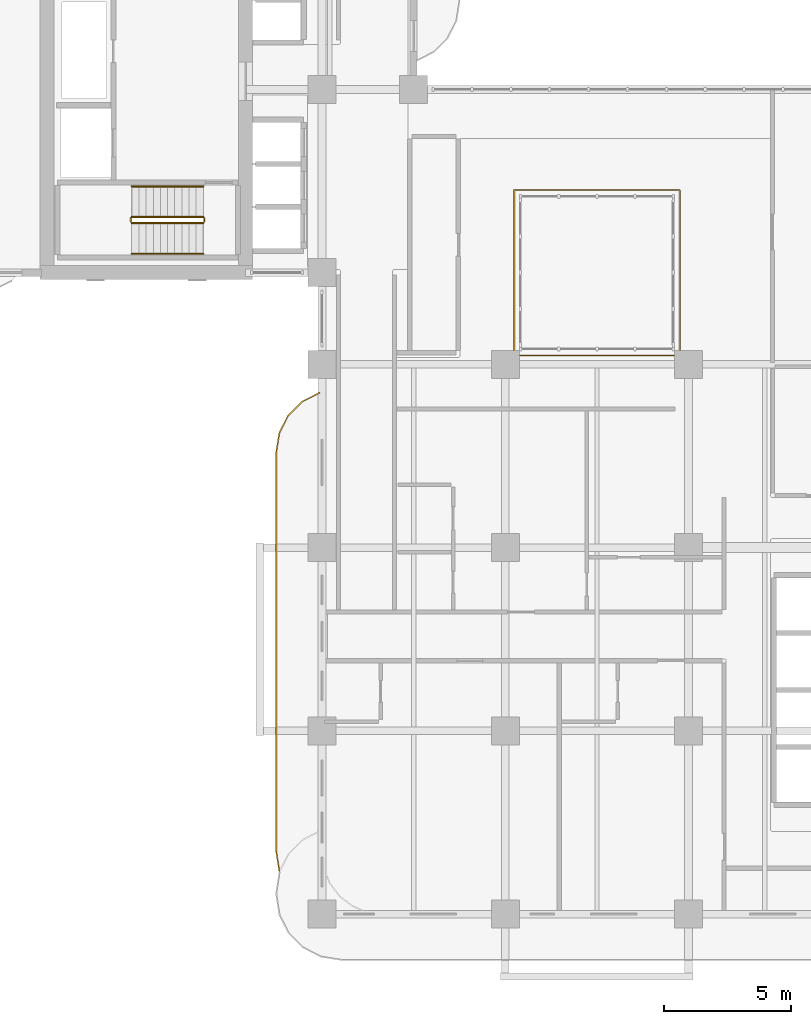
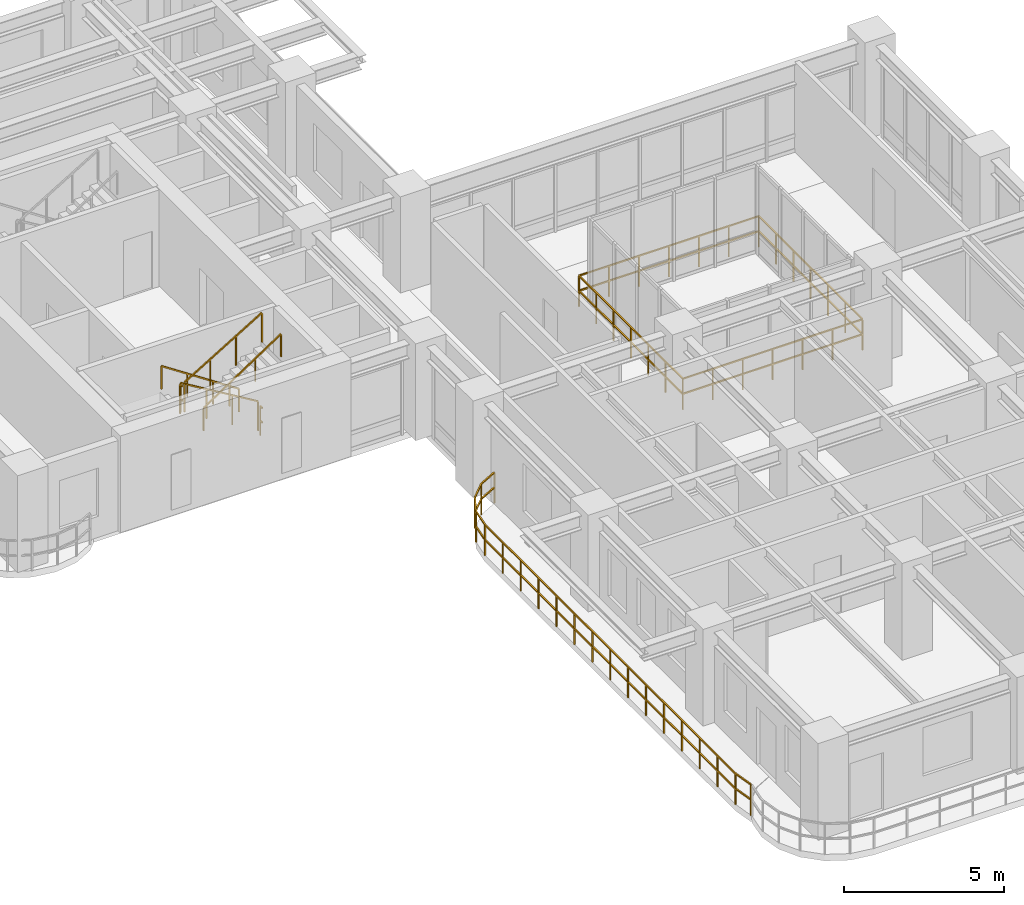
# One storey, part 18 of 22: 8 railings.
"""IFC4 building model written with IfcOpenShell, lengths in metres."""

from ifc_helpers import new_model, si_unit, derived_unit, direction, frame, origin, origin_2d, place, context, subcontext, project, spatial, rectangle, extrude, material, type_object, element, save


model = new_model("IFC4")

# Units and contexts
model_context = context("Model", 3, precision=1e-05, world=origin(), true_north=direction((0.0, 1.0)))
body_context = subcontext(model_context, "Body", "Model", "MODEL_VIEW")
ifc_project = project(units=[si_unit("LENGTHUNIT", "METRE"), si_unit("AREAUNIT", "SQUARE_METRE"), si_unit("VOLUMEUNIT", "CUBIC_METRE"), si_unit("PLANEANGLEUNIT", "RADIAN"), si_unit("MASSUNIT", "GRAM", prefix="KILO"), si_unit("THERMODYNAMICTEMPERATUREUNIT", "KELVIN"), si_unit("POWERUNIT", "WATT"), derived_unit("THERMALTRANSMITTANCEUNIT", [(si_unit("POWERUNIT", "WATT"), 1), (si_unit("AREAUNIT", "SQUARE_METRE"), -1), (si_unit("THERMODYNAMICTEMPERATUREUNIT", "KELVIN"), -1)])], contexts=[model_context])

# Site, building, storey
site_placement = place(None, origin())
site = spatial("IfcSite", under=ifc_project, at=site_placement, CompositionType="ELEMENT")
building_placement = place(site_placement, origin())
building = spatial("IfcBuilding", under=site, at=building_placement, Name="Zahravan Archway Hotel and Residences", CompositionType="ELEMENT")
storey_placement = place(building_placement, frame((0.0, 0.0, 87.89990234375)))
storey = spatial("IfcBuildingStorey", under=building, at=storey_placement, Name="L21", CompositionType="ELEMENT", Elevation=87.89990234375)

# Railings
ifc_material_1 = material(Name="Atrium Laminated Glass Guardrail", Category="glass")
railing_type_1 = type_object("IfcRailingType", Name="RL-ATR-1200", PredefinedType="BALUSTRADE", material=ifc_material_1)
railing_1_placement = place(storey_placement, frame((21.949951171875, 21.949951171875, 0.0)))
element("IfcRailing", 1, at=railing_1_placement, inside=storey, type_object=railing_type_1, Name="L21 Balustrade RL-ATR-L21", PredefinedType="BALUSTRADE", context=body_context, shape_type="SweptSolid", body=[
    extrude(rectangle(XDim=0.048095703125, YDim=0.048095703125, at=origin_2d()), frame((0.0, 0.0, 1.17578125), z_axis=(1.0, 0.0, 0.0), x_axis=(0.0, 1.0, 0.0)), (0.0, 0.0, 1.0), 6.5),
    extrude(rectangle(XDim=0.048095703125, YDim=0.048095703125, at=origin_2d()), frame((0.0, 0.0, 0.60009765625), z_axis=(1.0, 0.0, 0.0), x_axis=(0.0, 1.0, 0.0)), (0.0, 0.0, 1.0), 6.5),
    extrude(rectangle(XDim=0.048095703125, YDim=0.048095703125, at=origin_2d()), frame((6.5, 0.0, 1.17578125), z_axis=(0.0, 1.0, 0.0), x_axis=(-1.0, 0.0, 0.0)), (0.0, 0.0, 1.0), 6.5),
    extrude(rectangle(XDim=0.048095703125, YDim=0.048095703125, at=origin_2d()), frame((6.5, 0.0, 0.60009765625), z_axis=(0.0, 1.0, 0.0), x_axis=(-1.0, 0.0, 0.0)), (0.0, 0.0, 1.0), 6.5),
    extrude(rectangle(XDim=0.048095703125, YDim=0.048095703125, at=origin_2d()), frame((6.5, 6.5, 1.17578125), z_axis=(-1.0, 0.0, 0.0), x_axis=(0.0, -1.0, 0.0)), (0.0, 0.0, 1.0), 6.5),
    extrude(rectangle(XDim=0.048095703125, YDim=0.048095703125, at=origin_2d()), frame((6.5, 6.5, 0.60009765625), z_axis=(-1.0, 0.0, 0.0), x_axis=(0.0, -1.0, 0.0)), (0.0, 0.0, 1.0), 6.5),
    extrude(rectangle(XDim=0.048095703125, YDim=0.048095703125, at=origin_2d()), frame((0.0, 6.5, 1.17578125), z_axis=(0.0, -1.0, 0.0), x_axis=(1.0, 0.0, 0.0)), (0.0, 0.0, 1.0), 6.5),
    extrude(rectangle(XDim=0.048095703125, YDim=0.048095703125, at=origin_2d()), frame((0.0, 6.5, 0.60009765625), z_axis=(0.0, -1.0, 0.0), x_axis=(1.0, 0.0, 0.0)), (0.0, 0.0, 1.0), 6.5),
    extrude(rectangle(XDim=0.0419921875, YDim=0.0419921875, at=origin_2d()), origin(), (0.0, 0.0, 1.0), 1.15185546875),
    extrude(rectangle(XDim=0.0419921875, YDim=0.0419921875, at=origin_2d()), frame((1.083251953125, 0.0, 0.0)), (0.0, 0.0, 1.0), 1.15185546875),
    extrude(rectangle(XDim=0.0419921875, YDim=0.0419921875, at=origin_2d()), frame((2.166748046875, 0.0, 0.0)), (0.0, 0.0, 1.0), 1.15185546875),
    extrude(rectangle(XDim=0.0419921875, YDim=0.0419921875, at=origin_2d()), frame((3.25, 0.0, 0.0)), (0.0, 0.0, 1.0), 1.15185546875),
    extrude(rectangle(XDim=0.0419921875, YDim=0.0419921875, at=origin_2d()), frame((4.333251953125, 0.0, 0.0)), (0.0, 0.0, 1.0), 1.15185546875),
    extrude(rectangle(XDim=0.0419921875, YDim=0.0419921875, at=origin_2d()), frame((5.416748046875, 0.0, 0.0)), (0.0, 0.0, 1.0), 1.15185546875),
    extrude(rectangle(XDim=0.0419921875, YDim=0.0419921875, at=origin_2d()), frame((6.5, 0.0, 0.0)), (0.0, 0.0, 1.0), 1.15185546875),
    extrude(rectangle(XDim=0.0419921875, YDim=0.0419921875, at=origin_2d()), frame((6.5, 1.083251953125, 0.0)), (0.0, 0.0, 1.0), 1.15185546875),
    extrude(rectangle(XDim=0.0419921875, YDim=0.0419921875, at=origin_2d()), frame((6.5, 2.166748046875, 0.0)), (0.0, 0.0, 1.0), 1.15185546875),
    extrude(rectangle(XDim=0.0419921875, YDim=0.0419921875, at=origin_2d()), frame((6.5, 3.25, 0.0)), (0.0, 0.0, 1.0), 1.15185546875),
    extrude(rectangle(XDim=0.0419921875, YDim=0.0419921875, at=origin_2d()), frame((6.5, 4.333251953125, 0.0)), (0.0, 0.0, 1.0), 1.15185546875),
    extrude(rectangle(XDim=0.0419921875, YDim=0.0419921875, at=origin_2d()), frame((6.5, 5.416748046875, 0.0)), (0.0, 0.0, 1.0), 1.15185546875),
    extrude(rectangle(XDim=0.0419921875, YDim=0.0419921875, at=origin_2d()), frame((6.5, 6.5, 0.0)), (0.0, 0.0, 1.0), 1.15185546875),
    extrude(rectangle(XDim=0.0419921875, YDim=0.0419921875, at=origin_2d()), frame((5.416748046875, 6.5, 0.0)), (0.0, 0.0, 1.0), 1.15185546875),
    extrude(rectangle(XDim=0.0419921875, YDim=0.0419921875, at=origin_2d()), frame((4.333251953125, 6.5, 0.0)), (0.0, 0.0, 1.0), 1.15185546875),
    extrude(rectangle(XDim=0.0419921875, YDim=0.0419921875, at=origin_2d()), frame((3.25, 6.5, 0.0)), (0.0, 0.0, 1.0), 1.15185546875),
    extrude(rectangle(XDim=0.0419921875, YDim=0.0419921875, at=origin_2d()), frame((2.166748046875, 6.5, 0.0)), (0.0, 0.0, 1.0), 1.15185546875),
    extrude(rectangle(XDim=0.0419921875, YDim=0.0419921875, at=origin_2d()), frame((1.083251953125, 6.5, 0.0)), (0.0, 0.0, 1.0), 1.15185546875),
    extrude(rectangle(XDim=0.0419921875, YDim=0.0419921875, at=origin_2d()), frame((0.0, 6.5, 0.0)), (0.0, 0.0, 1.0), 1.15185546875),
    extrude(rectangle(XDim=0.0419921875, YDim=0.0419921875, at=origin_2d()), frame((0.0, 5.416748046875, 0.0)), (0.0, 0.0, 1.0), 1.15185546875),
    extrude(rectangle(XDim=0.0419921875, YDim=0.0419921875, at=origin_2d()), frame((0.0, 4.333251953125, 0.0)), (0.0, 0.0, 1.0), 1.15185546875),
    extrude(rectangle(XDim=0.0419921875, YDim=0.0419921875, at=origin_2d()), frame((0.0, 3.25, 0.0)), (0.0, 0.0, 1.0), 1.15185546875),
    extrude(rectangle(XDim=0.0419921875, YDim=0.0419921875, at=origin_2d()), frame((0.0, 2.166748046875, 0.0)), (0.0, 0.0, 1.0), 1.15185546875),
    extrude(rectangle(XDim=0.0419921875, YDim=0.0419921875, at=origin_2d()), frame((0.0, 1.083251953125, 0.0)), (0.0, 0.0, 1.0), 1.15185546875),
])
ifc_material_2 = material(Name="Bronze & Laminated Glass Balustrade", Category="glass")
railing_type_2 = type_object("IfcRailingType", Name="RL-BAL-1200", PredefinedType="BALUSTRADE", material=ifc_material_2)
railing_2_placement = place(storey_placement, frame((12.719970703125, 1.69287109375, 0.0)))
element("IfcRailing", 2, at=railing_2_placement, inside=storey, type_object=railing_type_2, Name="L21 Balustrade RL-SLB-BAL-L21-WA-1", PredefinedType="BALUSTRADE", context=body_context, shape_type="SweptSolid", body=[
    extrude(rectangle(XDim=0.048095703125, YDim=0.048095703125, at=origin_2d()), frame((0.0, 0.0, 1.17578125), z_axis=(-0.156387811283, 0.987695728695, 0.0), x_axis=(-0.987695728695, -0.156387811283, 0.0)), (0.0, 0.0, 1.0), 0.7666015625),
    extrude(rectangle(XDim=0.048095703125, YDim=0.048095703125, at=origin_2d()), frame((0.0, 0.0, 0.60009765625), z_axis=(-0.156387811283, 0.987695728695, 0.0), x_axis=(-0.987695728695, -0.156387811283, 0.0)), (0.0, 0.0, 1.0), 0.7666015625),
    extrude(rectangle(XDim=0.048095703125, YDim=0.048095703125, at=origin_2d()), frame((-0.119873046875, 0.757080078125, 1.17578125), z_axis=(0.0, 1.0, 0.0), x_axis=(-1.0, 0.0, 0.0)), (0.0, 0.0, 1.0), 15.699951171875),
    extrude(rectangle(XDim=0.048095703125, YDim=0.048095703125, at=origin_2d()), frame((-0.119873046875, 0.757080078125, 0.60009765625), z_axis=(0.0, 1.0, 0.0), x_axis=(-1.0, 0.0, 0.0)), (0.0, 0.0, 1.0), 15.699951171875),
    extrude(rectangle(XDim=0.048095703125, YDim=0.048095703125, at=origin_2d()), frame((-0.119873046875, 16.45703125, 1.17578125), z_axis=(0.156387811283, 0.987695728695, 0.0), x_axis=(-0.987695728695, 0.156387811283, 0.0)), (0.0, 0.0, 1.0), 0.7666015625),
    extrude(rectangle(XDim=0.048095703125, YDim=0.048095703125, at=origin_2d()), frame((-0.119873046875, 16.45703125, 0.60009765625), z_axis=(0.156387811283, 0.987695728695, 0.0), x_axis=(-0.987695728695, 0.156387811283, 0.0)), (0.0, 0.0, 1.0), 0.7666015625),
    extrude(rectangle(XDim=0.048095703125, YDim=0.048095703125, at=origin_2d()), frame((0.0, 17.214111328125, 1.17578125), z_axis=(0.453825591531, 0.891090529897, 0.0), x_axis=(-0.891090529897, 0.453825591531, 0.0)), (0.0, 0.0, 1.0), 0.7666015625),
    extrude(rectangle(XDim=0.048095703125, YDim=0.048095703125, at=origin_2d()), frame((0.0, 17.214111328125, 0.60009765625), z_axis=(0.453825591531, 0.891090529897, 0.0), x_axis=(-0.891090529897, 0.453825591531, 0.0)), (0.0, 0.0, 1.0), 0.7666015625),
    extrude(rectangle(XDim=0.048095703125, YDim=0.048095703125, at=origin_2d()), frame((0.347900390625, 17.897216796875, 1.17578125), z_axis=(0.707106781187, 0.707106781187, 0.0), x_axis=(-0.707106781187, 0.707106781187, 0.0)), (0.0, 0.0, 1.0), 0.7666015625),
    extrude(rectangle(XDim=0.048095703125, YDim=0.048095703125, at=origin_2d()), frame((0.347900390625, 17.897216796875, 0.60009765625), z_axis=(0.707106781187, 0.707106781187, 0.0), x_axis=(-0.707106781187, 0.707106781187, 0.0)), (0.0, 0.0, 1.0), 0.7666015625),
    extrude(rectangle(XDim=0.048095703125, YDim=0.048095703125, at=origin_2d()), frame((0.889892578125, 18.439208984375, 1.17578125), z_axis=(0.891090529897, 0.453825591531, 0.0), x_axis=(-0.453825591531, 0.891090529897, 0.0)), (0.0, 0.0, 1.0), 0.7666015625),
    extrude(rectangle(XDim=0.048095703125, YDim=0.048095703125, at=origin_2d()), frame((0.889892578125, 18.439208984375, 0.60009765625), z_axis=(0.891090529897, 0.453825591531, 0.0), x_axis=(-0.453825591531, 0.891090529897, 0.0)), (0.0, 0.0, 1.0), 0.7666015625),
    extrude(rectangle(XDim=0.0419921875, YDim=0.0419921875, at=origin_2d()), origin(), (0.0, 0.0, 1.0), 1.15185546875),
    extrude(rectangle(XDim=0.0419921875, YDim=0.0419921875, at=origin_2d()), frame((-0.119873046875, 0.757080078125, 0.0)), (0.0, 0.0, 1.0), 1.15185546875),
    extrude(rectangle(XDim=0.0419921875, YDim=0.0419921875, at=origin_2d()), frame((-0.119873046875, 1.87841796875, 0.0)), (0.0, 0.0, 1.0), 1.15185546875),
    extrude(rectangle(XDim=0.0419921875, YDim=0.0419921875, at=origin_2d()), frame((-0.119873046875, 3.0, 0.0)), (0.0, 0.0, 1.0), 1.15185546875),
    extrude(rectangle(XDim=0.0419921875, YDim=0.0419921875, at=origin_2d()), frame((-0.119873046875, 4.121337890625, 0.0)), (0.0, 0.0, 1.0), 1.15185546875),
    extrude(rectangle(XDim=0.0419921875, YDim=0.0419921875, at=origin_2d()), frame((-0.119873046875, 5.24267578125, 0.0)), (0.0, 0.0, 1.0), 1.15185546875),
    extrude(rectangle(XDim=0.0419921875, YDim=0.0419921875, at=origin_2d()), frame((-0.119873046875, 6.3642578125, 0.0)), (0.0, 0.0, 1.0), 1.15185546875),
    extrude(rectangle(XDim=0.0419921875, YDim=0.0419921875, at=origin_2d()), frame((-0.119873046875, 7.485595703125, 0.0)), (0.0, 0.0, 1.0), 1.15185546875),
    extrude(rectangle(XDim=0.0419921875, YDim=0.0419921875, at=origin_2d()), frame((-0.119873046875, 8.60693359375, 0.0)), (0.0, 0.0, 1.0), 1.15185546875),
    extrude(rectangle(XDim=0.0419921875, YDim=0.0419921875, at=origin_2d()), frame((-0.119873046875, 9.728515625, 0.0)), (0.0, 0.0, 1.0), 1.15185546875),
    extrude(rectangle(XDim=0.0419921875, YDim=0.0419921875, at=origin_2d()), frame((-0.119873046875, 10.849853515625, 0.0)), (0.0, 0.0, 1.0), 1.15185546875),
    extrude(rectangle(XDim=0.0419921875, YDim=0.0419921875, at=origin_2d()), frame((-0.119873046875, 11.971435546875, 0.0)), (0.0, 0.0, 1.0), 1.15185546875),
    extrude(rectangle(XDim=0.0419921875, YDim=0.0419921875, at=origin_2d()), frame((-0.119873046875, 13.0927734375, 0.0)), (0.0, 0.0, 1.0), 1.15185546875),
    extrude(rectangle(XDim=0.0419921875, YDim=0.0419921875, at=origin_2d()), frame((-0.119873046875, 14.214111328125, 0.0)), (0.0, 0.0, 1.0), 1.15185546875),
    extrude(rectangle(XDim=0.0419921875, YDim=0.0419921875, at=origin_2d()), frame((-0.119873046875, 15.335693359375, 0.0)), (0.0, 0.0, 1.0), 1.15185546875),
    extrude(rectangle(XDim=0.0419921875, YDim=0.0419921875, at=origin_2d()), frame((-0.119873046875, 16.45703125, 0.0)), (0.0, 0.0, 1.0), 1.15185546875),
    extrude(rectangle(XDim=0.0419921875, YDim=0.0419921875, at=origin_2d()), frame((0.0, 17.214111328125, 0.0)), (0.0, 0.0, 1.0), 1.15185546875),
    extrude(rectangle(XDim=0.0419921875, YDim=0.0419921875, at=origin_2d()), frame((0.347900390625, 17.897216796875, 0.0)), (0.0, 0.0, 1.0), 1.15185546875),
    extrude(rectangle(XDim=0.0419921875, YDim=0.0419921875, at=origin_2d()), frame((0.889892578125, 18.439208984375, 0.0)), (0.0, 0.0, 1.0), 1.15185546875),
    extrude(rectangle(XDim=0.0419921875, YDim=0.0419921875, at=origin_2d()), frame((1.572998046875, 18.787109375, 0.0)), (0.0, 0.0, 1.0), 1.15185546875),
])
ifc_material_3 = material(Name="Painted Tubular Steel", Category="steel")
railing_type_3 = type_object("IfcRailingType", Name="RL-STG-1150", PredefinedType="GUARDRAIL", material=ifc_material_3)
railing_3_placement = place(storey_placement, frame((9.72998046875, 27.389892578125, 0.168212890625)))
element("IfcRailing", 3, at=railing_3_placement, inside=storey, type_object=railing_type_3, Name="L21 ST-B1 stair guard 1", PredefinedType="GUARDRAIL", context=body_context, shape_type="SweptSolid", body=[
    extrude(rectangle(XDim=0.048095703125, YDim=0.048095703125, at=origin_2d()), frame((0.0, 0.0, 1.1259765625), z_axis=(-0.857242210791, 0.0, 0.514913383045), x_axis=(0.0, -1.0, 0.0)), (0.0, 0.0, 1.0), 3.266357421875),
    extrude(rectangle(XDim=0.0419921875, YDim=0.0419921875, at=origin_2d()), origin(), (0.0, 0.0, 1.0), 1.101806640625),
    extrude(rectangle(XDim=0.0419921875, YDim=0.0419921875, at=origin_2d()), frame((-0.933349609375, 0.0, 0.560546875)), (0.0, 0.0, 1.0), 1.101806640625),
    extrude(rectangle(XDim=0.0419921875, YDim=0.0419921875, at=origin_2d()), frame((-1.86669921875, 0.0, 1.121337890625)), (0.0, 0.0, 1.0), 1.101806640625),
    extrude(rectangle(XDim=0.0419921875, YDim=0.0419921875, at=origin_2d()), frame((-2.800048828125, 0.0, 1.681884765625)), (0.0, 0.0, 1.0), 1.101806640625),
])
railing_4_placement = place(storey_placement, frame((6.8798828125, 27.340087890625, 1.85009765625)))
element("IfcRailing", 4, at=railing_4_placement, inside=storey, type_object=railing_type_3, Name="L21 ST-B1 stair guard 2", PredefinedType="GUARDRAIL", context=body_context, shape_type="SweptSolid", body=[
    extrude(rectangle(XDim=0.048095703125, YDim=0.048095703125, at=origin_2d()), frame((0.0, 0.0, 1.1259765625), z_axis=(0.0, -1.0, 0.0), x_axis=(1.0, 0.0, 0.0)), (0.0, 0.0, 1.0), 0.14013671875),
    extrude(rectangle(XDim=0.048095703125, YDim=0.048095703125, at=origin_2d()), frame((0.0, 0.0, 0.574951171875), z_axis=(0.0, -1.0, 0.0), x_axis=(1.0, 0.0, 0.0)), (0.0, 0.0, 1.0), 0.14013671875),
    extrude(rectangle(XDim=0.0419921875, YDim=0.0419921875, at=origin_2d()), origin(), (0.0, 0.0, 1.0), 1.101806640625),
])
railing_5_placement = place(storey_placement, frame((6.929931640625, 27.14990234375, 2.018310546875)))
element("IfcRailing", 5, at=railing_5_placement, inside=storey, type_object=railing_type_3, Name="L21 ST-B1 stair guard 3", PredefinedType="GUARDRAIL", context=body_context, shape_type="SweptSolid", body=[
    extrude(rectangle(XDim=0.048095703125, YDim=0.048095703125, at=origin_2d()), frame((0.0, 0.0, 1.1259765625), z_axis=(0.857242210791, 0.0, 0.514913383045), x_axis=(0.0, 1.0, 0.0)), (0.0, 0.0, 1.0), 3.266357421875),
    extrude(rectangle(XDim=0.0419921875, YDim=0.0419921875, at=origin_2d()), origin(), (0.0, 0.0, 1.0), 1.101806640625),
    extrude(rectangle(XDim=0.0419921875, YDim=0.0419921875, at=origin_2d()), frame((0.933349609375, 0.0, 0.560546875)), (0.0, 0.0, 1.0), 1.101806640625),
    extrude(rectangle(XDim=0.0419921875, YDim=0.0419921875, at=origin_2d()), frame((1.86669921875, 0.0, 1.121337890625)), (0.0, 0.0, 1.0), 1.101806640625),
    extrude(rectangle(XDim=0.0419921875, YDim=0.0419921875, at=origin_2d()), frame((2.800048828125, 0.0, 1.681884765625)), (0.0, 0.0, 1.0), 1.101806640625),
])
railing_6_placement = place(storey_placement, frame((9.780029296875, 27.340087890625, 0.0)))
element("IfcRailing", 6, at=railing_6_placement, inside=storey, type_object=railing_type_3, Name="L21 ST-B1 stair guard 4", PredefinedType="GUARDRAIL", context=body_context, shape_type="SweptSolid", body=[
    extrude(rectangle(XDim=0.048095703125, YDim=0.048095703125, at=origin_2d()), frame((0.0, 0.0, 1.1259765625), z_axis=(0.0, -1.0, 0.0), x_axis=(1.0, 0.0, 0.0)), (0.0, 0.0, 1.0), 0.14013671875),
    extrude(rectangle(XDim=0.048095703125, YDim=0.048095703125, at=origin_2d()), frame((0.0, 0.0, 0.574951171875), z_axis=(0.0, -1.0, 0.0), x_axis=(1.0, 0.0, 0.0)), (0.0, 0.0, 1.0), 0.14013671875),
    extrude(rectangle(XDim=0.0419921875, YDim=0.0419921875, at=origin_2d()), origin(), (0.0, 0.0, 1.0), 1.101806640625),
])
ifc_material_4 = material(Name="Brushed Stainless Steel", Category="steel")
railing_type_4 = type_object("IfcRailingType", Name="RL-STH-900", PredefinedType="HANDRAIL", material=ifc_material_4)
railing_7_placement = place(storey_placement, frame((9.72998046875, 28.590087890625, 0.168212890625)))
element("IfcRailing", 7, at=railing_7_placement, inside=storey, type_object=railing_type_4, Name="L21 ST-B1 stair handrail 1", PredefinedType="HANDRAIL", context=body_context, shape_type="SweptSolid", body=[
    extrude(rectangle(XDim=0.048095703125, YDim=0.048095703125, at=origin_2d()), frame((0.0, 0.0, 0.8759765625), z_axis=(-0.834326358476, 0.0, 0.551270829586), x_axis=(0.0, -1.0, 0.0)), (0.0, 0.0, 1.0), 3.35595703125),
    extrude(rectangle(XDim=0.0419921875, YDim=0.0419921875, at=origin_2d()), origin(), (0.0, 0.0, 1.0), 0.851806640625),
    extrude(rectangle(XDim=0.0419921875, YDim=0.0419921875, at=origin_2d()), frame((-0.933349609375, 0.0, 0.61669921875)), (0.0, 0.0, 1.0), 0.851806640625),
    extrude(rectangle(XDim=0.0419921875, YDim=0.0419921875, at=origin_2d()), frame((-1.86669921875, 0.0, 1.2333984375)), (0.0, 0.0, 1.0), 0.851806640625),
    extrude(rectangle(XDim=0.0419921875, YDim=0.0419921875, at=origin_2d()), frame((-2.800048828125, 0.0, 1.85009765625)), (0.0, 0.0, 1.0), 0.851806640625),
])
railing_8_placement = place(storey_placement, frame((6.929931640625, 25.949951171875, 2.018310546875)))
element("IfcRailing", 8, at=railing_8_placement, inside=storey, type_object=railing_type_4, Name="L21 ST-B1 stair handrail 2", PredefinedType="HANDRAIL", context=body_context, shape_type="SweptSolid", body=[
    extrude(rectangle(XDim=0.048095703125, YDim=0.048095703125, at=origin_2d()), frame((0.0, 0.0, 0.8759765625), z_axis=(0.83435981716, 0.0, 0.551220187865), x_axis=(0.0, 1.0, 0.0)), (0.0, 0.0, 1.0), 3.35595703125),
    extrude(rectangle(XDim=0.0419921875, YDim=0.0419921875, at=origin_2d()), origin(), (0.0, 0.0, 1.0), 0.851806640625),
    extrude(rectangle(XDim=0.0419921875, YDim=0.0419921875, at=origin_2d()), frame((0.933349609375, 0.0, 0.61669921875)), (0.0, 0.0, 1.0), 0.851806640625),
    extrude(rectangle(XDim=0.0419921875, YDim=0.0419921875, at=origin_2d()), frame((1.86669921875, 0.0, 1.233154296875)), (0.0, 0.0, 1.0), 0.851806640625),
    extrude(rectangle(XDim=0.0419921875, YDim=0.0419921875, at=origin_2d()), frame((2.800048828125, 0.0, 1.849853515625)), (0.0, 0.0, 1.0), 0.851806640625),
])

save(model, "model.ifc")
